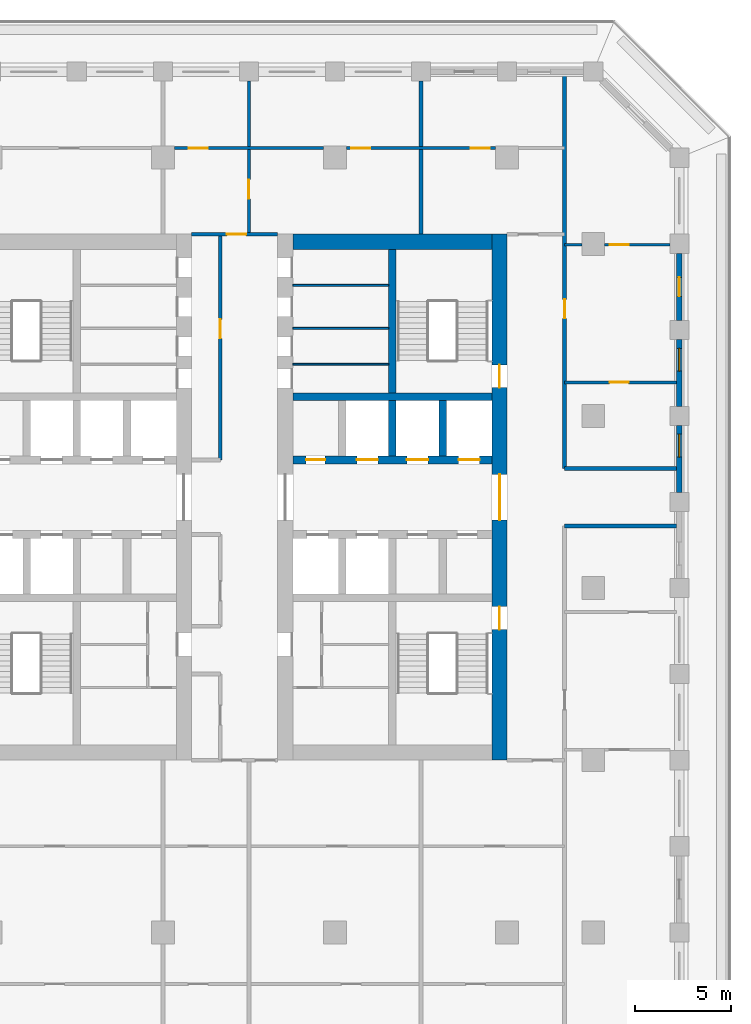
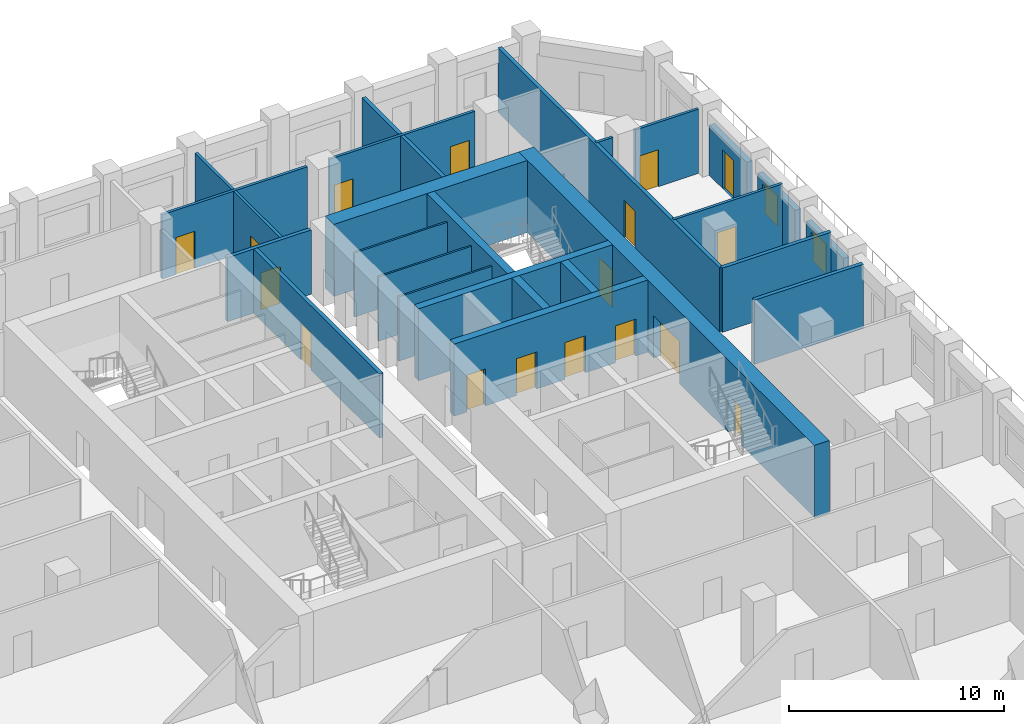
# One storey, part 7 of 16: 25 walls, 17 doors, 2 windows, 19 openings.
"""IFC4 building model written with IfcOpenShell, lengths in metres."""

from ifc_helpers import new_model, si_unit, direction, frame, frame_2d, origin, place, context, subcontext, project, spatial, rectangle, extrude, material, layer, layer_set, type_object, element, fill, save


model = new_model("IFC4")

# Units and contexts
model_context = context("Model", 3, precision=1e-05, world=origin(), true_north=direction((0.0, 1.0)))
body_context = subcontext(model_context, "Body", "Model", "MODEL_VIEW")
ifc_project = project(units=[si_unit("LENGTHUNIT", "METRE"), si_unit("AREAUNIT", "SQUARE_METRE"), si_unit("VOLUMEUNIT", "CUBIC_METRE"), si_unit("PLANEANGLEUNIT", "RADIAN"), si_unit("MASSUNIT", "GRAM", prefix="KILO")], contexts=[model_context])

# Site, building, storey
site_placement = place(None, origin())
site = spatial("IfcSite", under=ifc_project, at=site_placement, CompositionType="ELEMENT")
building_placement = place(site_placement, origin())
building = spatial("IfcBuilding", under=site, at=building_placement, Name="Corbel Stack Research Tower", CompositionType="ELEMENT")
storey_placement = place(building_placement, frame((0.0, 0.0, 160.89990234375)))
storey = spatial("IfcBuildingStorey", under=building, at=storey_placement, Name="L36", CompositionType="ELEMENT", Elevation=160.89990234375)

# Wall, openings, doors
ifc_material_1 = material(Name="Concrete C60/75", Category="concrete")
ifc_layer_1 = layer(ifc_material_1, 0.39990234375)
ifc_layer_set_1 = layer_set([ifc_layer_1], Name="Concrete C60/75")
wall_type_1 = type_object("IfcWallType", Name="CW-400-60", PredefinedType="SHEAR", material=ifc_layer_set_1)
wall_1_placement = place(storey_placement, frame((6.800048828125, 6.699951171875, 0.0), z_axis=(0.0, 0.0, 1.0), x_axis=(1.0, 0.0, 0.0)))
wall_1 = element("IfcWall", 1, at=wall_1_placement, inside=storey, type_object=wall_type_1, Name="East core wall, lobby north L36", PredefinedType="SHEAR", context=body_context, shape_type="SweptSolid", body=[
    extrude(rectangle(XDim=10.39990234375, YDim=0.39990234375, at=frame_2d((5.199951171875, 0.0))), origin(), (0.0, 0.0, 1.0), 4.10009765625),
])
opening_1_placement = place(wall_1_placement, frame((3.33740234375, 0.0, 0.0)))
opening_1 = element("IfcOpeningElement", 2, at=opening_1_placement, cuts=wall_1, Name="Opening LD-HR4", PredefinedType="OPENING", context=body_context, shape_type="SweptSolid", body=[
    extrude(rectangle(XDim=1.10009765625, YDim=2.10009765625, at=frame_2d((0.550048828125, 1.050048828125))), frame((0.0, 0.2099609375, 0.0), z_axis=(0.0, -1.0, 0.0), x_axis=(1.0, 0.0, 0.0)), (0.0, 0.0, 1.0), 0.419921875),
])
opening_2_placement = place(wall_1_placement, frame((5.96240234375, 0.0, 0.0)))
opening_2 = element("IfcOpeningElement", 3, at=opening_2_placement, cuts=wall_1, Name="Opening LD-HR5", PredefinedType="OPENING", context=body_context, shape_type="SweptSolid", body=[
    extrude(rectangle(XDim=1.10009765625, YDim=2.10009765625, at=frame_2d((0.550048828125, 1.050048828125))), frame((0.0, 0.2099609375, 0.0), z_axis=(0.0, -1.0, 0.0), x_axis=(1.0, 0.0, 0.0)), (0.0, 0.0, 1.0), 0.419921875),
])
opening_3_placement = place(wall_1_placement, frame((8.66259765625, 0.0, 0.0)))
opening_3 = element("IfcOpeningElement", 4, at=opening_3_placement, cuts=wall_1, Name="Opening LD-HR6", PredefinedType="OPENING", context=body_context, shape_type="SweptSolid", body=[
    extrude(rectangle(XDim=1.10009765625, YDim=2.10009765625, at=frame_2d((0.550048828125, 1.050048828125))), frame((0.0, 0.2099609375, 0.0), z_axis=(0.0, -1.0, 0.0), x_axis=(1.0, 0.0, 0.0)), (0.0, 0.0, 1.0), 0.419921875),
])
opening_4_placement = place(wall_1_placement, frame((0.6875, 0.0, 0.0)))
opening_4 = element("IfcOpeningElement", 5, at=opening_4_placement, cuts=wall_1, Name="Opening CR-E66-N1", PredefinedType="OPENING", context=body_context, shape_type="SweptSolid", body=[
    extrude(rectangle(XDim=1.0, YDim=2.10009765625, at=frame_2d((0.5, 1.050048828125))), frame((0.0, 0.2099609375, 0.0), z_axis=(0.0, -1.0, 0.0), x_axis=(1.0, 0.0, 0.0)), (0.0, 0.0, 1.0), 0.419921875),
])
ifc_material_2 = material(Name="Stainless steel landing door", Category="steel")
door_type_1 = type_object("IfcDoorType", Name="Lift landing door 1100 x 2100", OperationType="DOUBLE_DOOR_SLIDING", PredefinedType="DOOR", material=ifc_material_2)
door_1_placement = place(opening_1_placement, origin())
door_1 = element("IfcDoor", 6, at=door_1_placement, inside=storey, type_object=door_type_1, Name="Landing door HR4", OperationType="DOUBLE_DOOR_SLIDING", OverallHeight=2.10009765625, OverallWidth=1.10009765625, PredefinedType="DOOR", context=body_context, shape_type="SweptSolid", body=[
    extrude(rectangle(XDim=1.10009765625, YDim=2.10009765625, at=frame_2d((0.550048828125, 1.050048828125))), frame((0.0, 0.02490234375, 0.0), z_axis=(0.0, -1.0, 0.0), x_axis=(1.0, 0.0, 0.0)), (0.0, 0.0, 1.0), 0.050048828125),
])
fill(opening_1, door_1)
door_2_placement = place(opening_2_placement, origin())
door_2 = element("IfcDoor", 7, at=door_2_placement, inside=storey, type_object=door_type_1, Name="Landing door HR5", OperationType="DOUBLE_DOOR_SLIDING", OverallHeight=2.10009765625, OverallWidth=1.10009765625, PredefinedType="DOOR", context=body_context, shape_type="SweptSolid", body=[
    extrude(rectangle(XDim=1.10009765625, YDim=2.10009765625, at=frame_2d((0.550048828125, 1.050048828125))), frame((0.0, 0.02490234375, 0.0), z_axis=(0.0, -1.0, 0.0), x_axis=(1.0, 0.0, 0.0)), (0.0, 0.0, 1.0), 0.050048828125),
])
fill(opening_2, door_2)
door_3_placement = place(opening_3_placement, origin())
door_3 = element("IfcDoor", 8, at=door_3_placement, inside=storey, type_object=door_type_1, Name="Landing door HR6", OperationType="DOUBLE_DOOR_SLIDING", OverallHeight=2.10009765625, OverallWidth=1.10009765625, PredefinedType="DOOR", context=body_context, shape_type="SweptSolid", body=[
    extrude(rectangle(XDim=1.10009765625, YDim=2.10009765625, at=frame_2d((0.550048828125, 1.050048828125))), frame((0.0, 0.02490234375, 0.0), z_axis=(0.0, -1.0, 0.0), x_axis=(1.0, 0.0, 0.0)), (0.0, 0.0, 1.0), 0.050048828125),
])
fill(opening_3, door_3)
ifc_material_3 = material(Name="Painted steel door", Category="steel")
door_type_2 = type_object("IfcDoorType", Name="Service door 1000 x 2100 FD60 left hand", OperationType="SINGLE_SWING_LEFT", PredefinedType="DOOR", material=ifc_material_3)
door_4_placement = place(opening_4_placement, origin())
door_4 = element("IfcDoor", 9, at=door_4_placement, inside=storey, type_object=door_type_2, Name="Telecom room door E core", OperationType="SINGLE_SWING_LEFT", OverallHeight=2.10009765625, OverallWidth=1.0, PredefinedType="DOOR", context=body_context, shape_type="SweptSolid", body=[
    extrude(rectangle(XDim=1.0, YDim=2.10009765625, at=frame_2d((0.5, 1.050048828125))), frame((0.0, 0.02490234375, 0.0), z_axis=(0.0, -1.0, 0.0), x_axis=(1.0, 0.0, 0.0)), (0.0, 0.0, 1.0), 0.050048828125),
])
fill(opening_4, door_4)

# Walls
wall_2_placement = place(storey_placement, frame((6.800048828125, 10.0, 0.0), z_axis=(0.0, 0.0, 1.0), x_axis=(1.0, 0.0, 0.0)))
element("IfcWall", 10, at=wall_2_placement, inside=storey, type_object=wall_type_1, Name="East core wall, north row back L36", PredefinedType="SHEAR", context=body_context, shape_type="SweptSolid", body=[
    extrude(rectangle(XDim=10.39990234375, YDim=0.39990234375, at=frame_2d((5.199951171875, 0.0))), origin(), (0.0, 0.0, 1.0), 4.10009765625),
])
for number, where, z_axis, x_axis, name in (
    (11, (12.0, 6.89990234375, 0.0), (0.0, 0.0, 1.0), (0.0, 1.0, 0.0), "East core wall, north shaft 2 L36"),
    (12, (14.625, 6.89990234375, 0.0), (0.0, 0.0, 1.0), (0.0, 1.0, 0.0), "East core wall, north shaft 3 L36"),
):
    element("IfcWall", number, at=place(storey_placement, frame(where, z_axis=z_axis, x_axis=x_axis)), inside=storey, type_object=wall_type_1, Name=name, PredefinedType="SHEAR", context=body_context, shape_type="SweptSolid", body=[
        extrude(rectangle(XDim=2.900146484375, YDim=0.39990234375, at=frame_2d((1.4501953125, 0.0))), origin(), (0.0, 0.0, 1.0), 4.10009765625),
    ])
wall_3_placement = place(storey_placement, frame((12.0, 10.199951171875, 0.0), z_axis=(0.0, 0.0, 1.0), x_axis=(0.0, 1.0, 0.0)))
element("IfcWall", 13, at=wall_3_placement, inside=storey, type_object=wall_type_1, Name="East core wall, north stair and riser L36", PredefinedType="SHEAR", context=body_context, shape_type="SweptSolid", body=[
    extrude(rectangle(XDim=7.5, YDim=0.39990234375, at=frame_2d((3.75, 0.0))), origin(), (0.0, 0.0, 1.0), 4.10009765625),
])

# Wall, openings, doors
ifc_material_4 = material(Name="Concrete C60/75", Category="concrete")
ifc_layer_2 = layer(ifc_material_4, 0.800048828125)
ifc_layer_set_2 = layer_set([ifc_layer_2], Name="Concrete C60/75")
wall_type_2 = type_object("IfcWallType", Name="CW-800-60", PredefinedType="SHEAR", material=ifc_layer_set_2)
wall_4_placement = place(storey_placement, frame((17.60009765625, -9.0, 0.0), z_axis=(0.0, 0.0, 1.0), x_axis=(0.0, 1.0, 0.0)))
wall_4 = element("IfcWall", 14, at=wall_4_placement, inside=storey, type_object=wall_type_2, Name="East core wall, east face L36", PredefinedType="SHEAR", context=body_context, shape_type="SweptSolid", body=[
    extrude(rectangle(XDim=27.5, YDim=0.800048828125, at=frame_2d((13.75, 0.0))), origin(), (0.0, 0.0, 1.0), 4.10009765625),
])
opening_5_placement = place(wall_4_placement, frame((12.550048828125, 0.0, 0.0)))
opening_5 = element("IfcOpeningElement", 15, at=opening_5_placement, cuts=wall_4, Name="Opening CD-E-E", PredefinedType="OPENING", context=body_context, shape_type="SweptSolid", body=[
    extrude(rectangle(XDim=2.39990234375, YDim=2.39990234375, at=frame_2d((1.199951171875, 1.199951171875))), frame((0.0, 0.409912109375, 0.0), z_axis=(0.0, -1.0, 0.0), x_axis=(1.0, 0.0, 0.0)), (0.0, 0.0, 1.0), 0.820068359375),
])
opening_6_placement = place(wall_4_placement, frame((6.824951171875, 0.0, 0.0)))
opening_6 = element("IfcOpeningElement", 16, at=opening_6_placement, cuts=wall_4, Name="Opening SD-ST-E1", PredefinedType="OPENING", context=body_context, shape_type="SweptSolid", body=[
    extrude(rectangle(XDim=1.199951171875, YDim=2.10009765625, at=frame_2d((0.60009765625, 1.050048828125))), frame((0.0, 0.409912109375, 0.0), z_axis=(0.0, -1.0, 0.0), x_axis=(1.0, 0.0, 0.0)), (0.0, 0.0, 1.0), 0.820068359375),
])
opening_7_placement = place(wall_4_placement, frame((19.47509765625, 0.0, 0.0)))
opening_7 = element("IfcOpeningElement", 17, at=opening_7_placement, cuts=wall_4, Name="Opening SD-ST-E2", PredefinedType="OPENING", context=body_context, shape_type="SweptSolid", body=[
    extrude(rectangle(XDim=1.199951171875, YDim=2.10009765625, at=frame_2d((0.60009765625, 1.050048828125))), frame((0.0, 0.409912109375, 0.0), z_axis=(0.0, -1.0, 0.0), x_axis=(1.0, 0.0, 0.0)), (0.0, 0.0, 1.0), 0.820068359375),
])
ifc_material_5 = material(Name="Painted steel fire door", Category="steel")
door_type_3 = type_object("IfcDoorType", Name="Lobby door pair 2400 x 2400 FD30S", OperationType="DOUBLE_DOOR_DOUBLE_SWING", PredefinedType="DOOR", material=ifc_material_5)
door_5_placement = place(opening_5_placement, origin())
door_5 = element("IfcDoor", 18, at=door_5_placement, inside=storey, type_object=door_type_3, Name="Lift lobby door E core E", OperationType="DOUBLE_DOOR_DOUBLE_SWING", OverallHeight=2.39990234375, OverallWidth=2.39990234375, PredefinedType="DOOR", context=body_context, shape_type="SweptSolid", body=[
    extrude(rectangle(XDim=2.39990234375, YDim=2.39990234375, at=frame_2d((1.199951171875, 1.199951171875))), frame((0.0, 0.02490234375, 0.0), z_axis=(0.0, -1.0, 0.0), x_axis=(1.0, 0.0, 0.0)), (0.0, 0.0, 1.0), 0.050048828125),
])
fill(opening_5, door_5)
ifc_material_6 = material(Name="Painted steel fire door", Category="steel")
door_type_4 = type_object("IfcDoorType", Name="Stair door 1200 x 2100 FD90 right hand", OperationType="SINGLE_SWING_RIGHT", PredefinedType="DOOR", material=ifc_material_6)
door_6_placement = place(opening_6_placement, frame((1.199951171875, 0.0, 0.0), z_axis=(0.0, 0.0, 1.0), x_axis=(-1.0, 0.0, 0.0)))
door_6 = element("IfcDoor", 19, at=door_6_placement, inside=storey, type_object=door_type_4, Name="Stair door ST-E1", OperationType="SINGLE_SWING_LEFT", OverallHeight=2.10009765625, OverallWidth=1.199951171875, PredefinedType="DOOR", context=body_context, shape_type="SweptSolid", body=[
    extrude(rectangle(XDim=1.199951171875, YDim=2.10009765625, at=frame_2d((0.60009765625, 1.050048828125))), frame((0.0, 0.02490234375, 0.0), z_axis=(0.0, -1.0, 0.0), x_axis=(1.0, 0.0, 0.0)), (0.0, 0.0, 1.0), 0.050048828125),
])
fill(opening_6, door_6)
door_7_placement = place(opening_7_placement, frame((1.199951171875, 0.0, 0.0), z_axis=(0.0, 0.0, 1.0), x_axis=(-1.0, 0.0, 0.0)))
door_7 = element("IfcDoor", 20, at=door_7_placement, inside=storey, type_object=door_type_4, Name="Stair door ST-E2", OperationType="SINGLE_SWING_LEFT", OverallHeight=2.10009765625, OverallWidth=1.199951171875, PredefinedType="DOOR", context=body_context, shape_type="SweptSolid", body=[
    extrude(rectangle(XDim=1.199951171875, YDim=2.10009765625, at=frame_2d((0.60009765625, 1.050048828125))), frame((0.0, 0.02490234375, 0.0), z_axis=(0.0, -1.0, 0.0), x_axis=(1.0, 0.0, 0.0)), (0.0, 0.0, 1.0), 0.050048828125),
])
fill(opening_7, door_7)

# Walls
wall_5_placement = place(storey_placement, frame((6.800048828125, 18.10009765625, 0.0), z_axis=(0.0, 0.0, 1.0), x_axis=(1.0, 0.0, 0.0)))
element("IfcWall", 21, at=wall_5_placement, inside=storey, type_object=wall_type_2, Name="East core wall, north end L36", PredefinedType="SHEAR", context=body_context, shape_type="SweptSolid", body=[
    extrude(rectangle(XDim=10.39990234375, YDim=0.800048828125, at=frame_2d((5.199951171875, 0.0))), origin(), (0.0, 0.0, 1.0), 4.10009765625),
])
ifc_material_7 = material(Name="Gypsum board")
ifc_layer_3 = layer(ifc_material_7, 0.10009765625)
ifc_layer_set_3 = layer_set([ifc_layer_3], Name="Gypsum board")
wall_type_3 = type_object("IfcWallType", Name="Core partition 100", PredefinedType="PARTITIONING", material=ifc_layer_set_3)
for number, where, z_axis, x_axis, name in (
    (22, (6.800048828125, 11.699951171875, 0.0), (0.0, 0.0, 1.0), (1.0, 0.0, 0.0), "Core partition E"),
    (23, (6.800048828125, 13.574951171875, 0.0), (0.0, 0.0, 1.0), (1.0, 0.0, 0.0), "Core partition E"),
    (24, (6.800048828125, 15.824951171875, 0.0), (0.0, 0.0, 1.0), (1.0, 0.0, 0.0), "Core partition E"),
):
    element("IfcWall", number, at=place(storey_placement, frame(where, z_axis=z_axis, x_axis=x_axis)), inside=storey, type_object=wall_type_3, Name=name, PredefinedType="PARTITIONING", context=body_context, shape_type="SweptSolid", body=[
        extrude(rectangle(XDim=5.0, YDim=0.10009765625, at=frame_2d((2.5, 0.0))), origin(), (0.0, 0.0, 1.0), 3.650146484375),
    ])

# Wall, opening, door
ifc_material_8 = material(Name="Fire-rated gypsum board partition on steel studs", Category="steel")
ifc_layer_4 = layer(ifc_material_8, 0.14990234375)
ifc_layer_set_4 = layer_set([ifc_layer_4], Name="Fire-rated gypsum board partition on steel studs")
wall_type_4 = type_object("IfcWallType", Name="Fire-rated partition 150 EI 60", PredefinedType="PARTITIONING", material=ifc_layer_set_4)
wall_6_placement = place(storey_placement, frame((4.5, 26.5, 0.0), z_axis=(0.0, 0.0, 1.0), x_axis=(0.0, -1.0, 0.0)))
wall_6 = element("IfcWall", 25, at=wall_6_placement, inside=storey, type_object=wall_type_4, Name="Partition L36-010", PredefinedType="PARTITIONING", context=body_context, shape_type="SweptSolid", body=[
    extrude(rectangle(XDim=8.0, YDim=0.14990234375, at=frame_2d((4.0, 0.0))), origin(), (0.0, 0.0, 1.0), 3.650146484375),
])
opening_8_placement = place(wall_6_placement, frame((5.14990234375, 0.0, 0.0)))
opening_8 = element("IfcOpeningElement", 26, at=opening_8_placement, cuts=wall_6, Name="Opening B5V0-021", PredefinedType="OPENING", context=body_context, shape_type="SweptSolid", body=[
    extrude(rectangle(XDim=1.0, YDim=2.10009765625, at=frame_2d((0.5, 1.050048828125))), frame((0.0, 0.0849609375, 0.0), z_axis=(0.0, -1.0, 0.0), x_axis=(1.0, 0.0, 0.0)), (0.0, 0.0, 1.0), 0.169921875),
])
ifc_material_9 = material(Name="Painted steel fire door", Category="steel")
door_type_5 = type_object("IfcDoorType", Name="Fire door FD30S 1000 x 2100", OperationType="NOTDEFINED", PredefinedType="DOOR", material=ifc_material_9)
door_8_placement = place(opening_8_placement, origin())
door_8 = element("IfcDoor", 27, at=door_8_placement, inside=storey, type_object=door_type_5, Name="Door B5V0-021", OperationType="SINGLE_SWING_RIGHT", OverallHeight=2.10009765625, OverallWidth=1.0, PredefinedType="DOOR", context=body_context, shape_type="SweptSolid", body=[
    extrude(rectangle(XDim=1.0, YDim=2.10009765625, at=frame_2d((0.5, 1.050048828125))), frame((0.0, 0.02490234375, 0.0), z_axis=(0.0, -1.0, 0.0), x_axis=(1.0, 0.0, 0.0)), (0.0, 0.0, 1.0), 0.050048828125),
])
fill(opening_8, door_8)

ifc_material_10 = material(Name="Fire-rated gypsum board partition on steel studs", Category="steel")
ifc_layer_5 = layer(ifc_material_10, 0.199951171875)
ifc_layer_set_5 = layer_set([ifc_layer_5], Name="Fire-rated gypsum board partition on steel studs")
wall_type_5 = type_object("IfcWallType", Name="Fire-rated partition 200 EI 60", PredefinedType="PARTITIONING", material=ifc_layer_set_5)
wall_7_placement = place(storey_placement, frame((3.0, 6.699951171875, 0.0), z_axis=(0.0, 0.0, 1.0), x_axis=(0.0, 1.0, 0.0)))
wall_7 = element("IfcWall", 28, at=wall_7_placement, inside=storey, type_object=wall_type_5, Name="Partition L36-009", PredefinedType="PARTITIONING", context=body_context, shape_type="SweptSolid", body=[
    extrude(rectangle(XDim=11.800048828125, YDim=0.199951171875, at=frame_2d((5.89990234375, 0.0))), origin(), (0.0, 0.0, 1.0), 3.650146484375),
])
opening_9_placement = place(wall_7_placement, frame((6.35009765625, 0.0, 0.0)))
opening_9 = element("IfcOpeningElement", 29, at=opening_9_placement, cuts=wall_7, Name="Opening B5V0-019", PredefinedType="OPENING", context=body_context, shape_type="SweptSolid", body=[
    extrude(rectangle(XDim=1.0, YDim=2.10009765625, at=frame_2d((0.5, 1.050048828125))), frame((0.0, 0.10986328125, 0.0), z_axis=(0.0, -1.0, 0.0), x_axis=(1.0, 0.0, 0.0)), (0.0, 0.0, 1.0), 0.219970703125),
])
door_9_placement = place(opening_9_placement, origin())
door_9 = element("IfcDoor", 30, at=door_9_placement, inside=storey, type_object=door_type_5, Name="Door B5V0-019", OperationType="SINGLE_SWING_RIGHT", OverallHeight=2.10009765625, OverallWidth=1.0, PredefinedType="DOOR", context=body_context, shape_type="SweptSolid", body=[
    extrude(rectangle(XDim=1.0, YDim=2.10009765625, at=frame_2d((0.5, 1.050048828125))), frame((0.0, 0.02490234375, 0.0), z_axis=(0.0, -1.0, 0.0), x_axis=(1.0, 0.0, 0.0)), (0.0, 0.0, 1.0), 0.050048828125),
])
fill(opening_9, door_9)

# Wall
wall_8_placement = place(storey_placement, frame((13.5, 18.5, 0.0), z_axis=(0.0, 0.0, 1.0), x_axis=(0.0, 1.0, 0.0)))
element("IfcWall", 31, at=wall_8_placement, inside=storey, type_object=wall_type_5, Name="Partition L36-013", PredefinedType="PARTITIONING", context=body_context, shape_type="SweptSolid", body=[
    extrude(rectangle(XDim=8.0, YDim=0.199951171875, at=frame_2d((4.0, 0.0))), origin(), (0.0, 0.0, 1.0), 3.650146484375),
])

# Wall, opening, door
wall_9_placement = place(storey_placement, frame((21.0, 26.85009765625, 0.0), z_axis=(0.0, 0.0, 1.0), x_axis=(0.0, -1.0, 0.0)))
wall_9 = element("IfcWall", 32, at=wall_9_placement, inside=storey, type_object=wall_type_5, Name="Partition L36-015", PredefinedType="PARTITIONING", context=body_context, shape_type="SweptSolid", body=[
    extrude(rectangle(XDim=20.60009765625, YDim=0.199951171875, at=frame_2d((10.300048828125, 0.0))), origin(), (0.0, 0.0, 1.0), 3.650146484375),
])
opening_10_placement = place(wall_9_placement, frame((11.75, 0.0, 0.0)))
opening_10 = element("IfcOpeningElement", 33, at=opening_10_placement, cuts=wall_9, Name="Opening B5V0-031", PredefinedType="OPENING", context=body_context, shape_type="SweptSolid", body=[
    extrude(rectangle(XDim=1.0, YDim=2.10009765625, at=frame_2d((0.5, 1.050048828125))), frame((0.0, 0.10986328125, 0.0), z_axis=(0.0, -1.0, 0.0), x_axis=(1.0, 0.0, 0.0)), (0.0, 0.0, 1.0), 0.219970703125),
])
door_10_placement = place(opening_10_placement, origin())
door_10 = element("IfcDoor", 34, at=door_10_placement, inside=storey, type_object=door_type_5, Name="Door B5V0-031", OperationType="SINGLE_SWING_RIGHT", OverallHeight=2.10009765625, OverallWidth=1.0, PredefinedType="DOOR", context=body_context, shape_type="SweptSolid", body=[
    extrude(rectangle(XDim=1.0, YDim=2.10009765625, at=frame_2d((0.5, 1.050048828125))), frame((0.0, 0.02490234375, 0.0), z_axis=(0.0, -1.0, 0.0), x_axis=(1.0, 0.0, 0.0)), (0.0, 0.0, 1.0), 0.050048828125),
])
fill(opening_10, door_10)

# Walls
for number, where, z_axis, x_axis, name in (
    (35, (21.0, 3.25, 0.0), (0.0, 0.0, 1.0), (1.0, 0.0, 0.0), "Partition L36-031"),
    (36, (21.0, 6.25, 0.0), (0.0, 0.0, 1.0), (1.0, 0.0, 0.0), "Partition L36-033"),
):
    element("IfcWall", number, at=place(storey_placement, frame(where, z_axis=z_axis, x_axis=x_axis)), inside=storey, type_object=wall_type_5, Name=name, PredefinedType="PARTITIONING", context=body_context, shape_type="SweptSolid", body=[
        extrude(rectangle(XDim=5.85009765625, YDim=0.199951171875, at=frame_2d((2.925048828125, 0.0))), origin(), (0.0, 0.0, 1.0), 3.650146484375),
    ])

# Wall, opening, door
wall_10_placement = place(storey_placement, frame((1.5, 18.5, 0.0), z_axis=(0.0, 0.0, 1.0), x_axis=(1.0, 0.0, 0.0)))
wall_10 = element("IfcWall", 37, at=wall_10_placement, inside=storey, type_object=wall_type_5, Name="Partition L36-042", PredefinedType="PARTITIONING", context=body_context, shape_type="SweptSolid", body=[
    extrude(rectangle(XDim=4.5, YDim=0.199951171875, at=frame_2d((2.25, 0.0))), origin(), (0.0, 0.0, 1.0), 3.650146484375),
])
opening_11_placement = place(wall_10_placement, frame((1.85009765625, 0.0, 0.0)))
opening_11 = element("IfcOpeningElement", 38, at=opening_11_placement, cuts=wall_10, Name="Opening B5V0-028", PredefinedType="OPENING", context=body_context, shape_type="SweptSolid", body=[
    extrude(rectangle(XDim=1.0, YDim=2.10009765625, at=frame_2d((0.5, 1.050048828125))), frame((0.0, 0.10986328125, 0.0), z_axis=(0.0, -1.0, 0.0), x_axis=(1.0, 0.0, 0.0)), (0.0, 0.0, 1.0), 0.219970703125),
])
door_11_placement = place(opening_11_placement, origin())
door_11 = element("IfcDoor", 39, at=door_11_placement, inside=storey, type_object=door_type_5, Name="Door B5V0-028", OperationType="SINGLE_SWING_RIGHT", OverallHeight=2.10009765625, OverallWidth=1.0, PredefinedType="DOOR", context=body_context, shape_type="SweptSolid", body=[
    extrude(rectangle(XDim=1.0, YDim=2.10009765625, at=frame_2d((0.5, 1.050048828125))), frame((0.0, 0.02490234375, 0.0), z_axis=(0.0, -1.0, 0.0), x_axis=(1.0, 0.0, 0.0)), (0.0, 0.0, 1.0), 0.050048828125),
])
fill(opening_11, door_11)

ifc_material_11 = material(Name="Gypsum board partition on steel studs", Category="steel")
ifc_layer_6 = layer(ifc_material_11, 0.14990234375)
ifc_layer_set_6 = layer_set([ifc_layer_6], Name="Gypsum board partition on steel studs")
wall_type_6 = type_object("IfcWallType", Name="Partition 150", PredefinedType="PARTITIONING", material=ifc_layer_set_6)
wall_11_placement = place(storey_placement, frame((26.85009765625, 10.75, 0.0), z_axis=(0.0, 0.0, 1.0), x_axis=(-1.0, 0.0, 0.0)))
wall_11 = element("IfcWall", 40, at=wall_11_placement, inside=storey, type_object=wall_type_6, Name="Partition L36-036", PredefinedType="PARTITIONING", context=body_context, shape_type="SweptSolid", body=[
    extrude(rectangle(XDim=5.85009765625, YDim=0.14990234375, at=frame_2d((2.925048828125, 0.0))), origin(), (0.0, 0.0, 1.0), 3.650146484375),
])
opening_12_placement = place(wall_11_placement, frame((2.5, 0.0, 0.0)))
opening_12 = element("IfcOpeningElement", 41, at=opening_12_placement, cuts=wall_11, Name="Opening B5V0-024", PredefinedType="OPENING", context=body_context, shape_type="SweptSolid", body=[
    extrude(rectangle(XDim=1.0, YDim=2.10009765625, at=frame_2d((0.5, 1.050048828125))), frame((0.0, 0.0849609375, 0.0), z_axis=(0.0, -1.0, 0.0), x_axis=(1.0, 0.0, 0.0)), (0.0, 0.0, 1.0), 0.169921875),
])
ifc_material_12 = material(Name="Painted timber door", Category="wood")
door_type_6 = type_object("IfcDoorType", Name="Single door 1000 x 2100", OperationType="NOTDEFINED", PredefinedType="DOOR", material=ifc_material_12)
door_12_placement = place(opening_12_placement, origin())
door_12 = element("IfcDoor", 42, at=door_12_placement, inside=storey, type_object=door_type_6, Name="Door B5V0-024", OperationType="SINGLE_SWING_RIGHT", OverallHeight=2.10009765625, OverallWidth=1.0, PredefinedType="DOOR", context=body_context, shape_type="SweptSolid", body=[
    extrude(rectangle(XDim=1.0, YDim=2.10009765625, at=frame_2d((0.5, 1.050048828125))), frame((0.0, 0.02490234375, 0.0), z_axis=(0.0, -1.0, 0.0), x_axis=(1.0, 0.0, 0.0)), (0.0, 0.0, 1.0), 0.050048828125),
])
fill(opening_12, door_12)

# Wall
wall_12_placement = place(storey_placement, frame((21.0, 17.949951171875, 0.0), z_axis=(0.0, 0.0, 1.0), x_axis=(1.0, 0.0, 0.0)))
element("IfcWall", 43, at=wall_12_placement, inside=storey, type_object=wall_type_6, Name="Partition L36-039", PredefinedType="PARTITIONING", context=body_context, shape_type="SweptSolid", body=[
    extrude(rectangle(XDim=0.89990234375, YDim=0.14990234375, at=frame_2d((0.449951171875, 0.0))), origin(), (0.0, 0.0, 1.0), 3.650146484375),
])

# Wall, opening, door
wall_13_placement = place(storey_placement, frame((23.10009765625, 17.949951171875, 0.0), z_axis=(0.0, 0.0, 1.0), x_axis=(1.0, 0.0, 0.0)))
wall_13 = element("IfcWall", 44, at=wall_13_placement, inside=storey, type_object=wall_type_6, Name="Partition L36-040", PredefinedType="PARTITIONING", context=body_context, shape_type="SweptSolid", body=[
    extrude(rectangle(XDim=3.39990234375, YDim=0.14990234375, at=frame_2d((1.699951171875, 0.0))), origin(), (0.0, 0.0, 1.0), 3.650146484375),
])
opening_13_placement = place(wall_13_placement, frame((0.25, 0.0, 0.0)))
opening_13 = element("IfcOpeningElement", 45, at=opening_13_placement, cuts=wall_13, Name="Opening B5V0-026", PredefinedType="OPENING", context=body_context, shape_type="SweptSolid", body=[
    extrude(rectangle(XDim=1.0, YDim=2.10009765625, at=frame_2d((0.5, 1.050048828125))), frame((0.0, 0.0849609375, 0.0), z_axis=(0.0, -1.0, 0.0), x_axis=(1.0, 0.0, 0.0)), (0.0, 0.0, 1.0), 0.169921875),
])
door_13_placement = place(opening_13_placement, origin())
door_13 = element("IfcDoor", 46, at=door_13_placement, inside=storey, type_object=door_type_6, Name="Door B5V0-026", OperationType="SINGLE_SWING_LEFT", OverallHeight=2.10009765625, OverallWidth=1.0, PredefinedType="DOOR", context=body_context, shape_type="SweptSolid", body=[
    extrude(rectangle(XDim=1.0, YDim=2.10009765625, at=frame_2d((0.5, 1.050048828125))), frame((0.0, 0.02490234375, 0.0), z_axis=(0.0, -1.0, 0.0), x_axis=(1.0, 0.0, 0.0)), (0.0, 0.0, 1.0), 0.050048828125),
])
fill(opening_13, door_13)

wall_14_placement = place(storey_placement, frame((0.60009765625, 23.0, 0.0), z_axis=(0.0, 0.0, 1.0), x_axis=(1.0, 0.0, 0.0)))
wall_14 = element("IfcWall", 47, at=wall_14_placement, inside=storey, type_object=wall_type_6, Name="Partition L36-046", PredefinedType="PARTITIONING", context=body_context, shape_type="SweptSolid", body=[
    extrude(rectangle(XDim=7.7998046875, YDim=0.14990234375, at=frame_2d((3.89990234375, 0.0))), origin(), (0.0, 0.0, 1.0), 3.650146484375),
])
opening_14_placement = place(wall_14_placement, frame((0.75, 0.0, 0.0)))
opening_14 = element("IfcOpeningElement", 48, at=opening_14_placement, cuts=wall_14, Name="Opening B5V0-033", PredefinedType="OPENING", context=body_context, shape_type="SweptSolid", body=[
    extrude(rectangle(XDim=1.0, YDim=2.10009765625, at=frame_2d((0.5, 1.050048828125))), frame((0.0, 0.0849609375, 0.0), z_axis=(0.0, -1.0, 0.0), x_axis=(1.0, 0.0, 0.0)), (0.0, 0.0, 1.0), 0.169921875),
])
door_14_placement = place(opening_14_placement, origin())
door_14 = element("IfcDoor", 49, at=door_14_placement, inside=storey, type_object=door_type_6, Name="Door B5V0-033", OperationType="SINGLE_SWING_LEFT", OverallHeight=2.10009765625, OverallWidth=1.0, PredefinedType="DOOR", context=body_context, shape_type="SweptSolid", body=[
    extrude(rectangle(XDim=1.0, YDim=2.10009765625, at=frame_2d((0.5, 1.050048828125))), frame((0.0, 0.02490234375, 0.0), z_axis=(0.0, -1.0, 0.0), x_axis=(1.0, 0.0, 0.0)), (0.0, 0.0, 1.0), 0.050048828125),
])
fill(opening_14, door_14)

# Wall, openings, doors
wall_15_placement = place(storey_placement, frame((9.60009765625, 23.0, 0.0), z_axis=(0.0, 0.0, 1.0), x_axis=(1.0, 0.0, 0.0)))
wall_15 = element("IfcWall", 50, at=wall_15_placement, inside=storey, type_object=wall_type_6, Name="Partition L36-047", PredefinedType="PARTITIONING", context=body_context, shape_type="SweptSolid", body=[
    extrude(rectangle(XDim=7.7998046875, YDim=0.14990234375, at=frame_2d((3.89990234375, 0.0))), origin(), (0.0, 0.0, 1.0), 3.650146484375),
])
opening_15_placement = place(wall_15_placement, frame((0.25, 0.0, 0.0)))
opening_15 = element("IfcOpeningElement", 51, at=opening_15_placement, cuts=wall_15, Name="Opening B5V0-034", PredefinedType="OPENING", context=body_context, shape_type="SweptSolid", body=[
    extrude(rectangle(XDim=1.0, YDim=2.10009765625, at=frame_2d((0.5, 1.050048828125))), frame((0.0, 0.0849609375, 0.0), z_axis=(0.0, -1.0, 0.0), x_axis=(1.0, 0.0, 0.0)), (0.0, 0.0, 1.0), 0.169921875),
])
opening_16_placement = place(wall_15_placement, frame((6.5, 0.0, 0.0)))
opening_16 = element("IfcOpeningElement", 52, at=opening_16_placement, cuts=wall_15, Name="Opening B5V0-035", PredefinedType="OPENING", context=body_context, shape_type="SweptSolid", body=[
    extrude(rectangle(XDim=1.0, YDim=2.10009765625, at=frame_2d((0.5, 1.050048828125))), frame((0.0, 0.0849609375, 0.0), z_axis=(0.0, -1.0, 0.0), x_axis=(1.0, 0.0, 0.0)), (0.0, 0.0, 1.0), 0.169921875),
])
door_15_placement = place(opening_15_placement, origin())
door_15 = element("IfcDoor", 53, at=door_15_placement, inside=storey, type_object=door_type_6, Name="Door B5V0-034", OperationType="SINGLE_SWING_LEFT", OverallHeight=2.10009765625, OverallWidth=1.0, PredefinedType="DOOR", context=body_context, shape_type="SweptSolid", body=[
    extrude(rectangle(XDim=1.0, YDim=2.10009765625, at=frame_2d((0.5, 1.050048828125))), frame((0.0, 0.02490234375, 0.0), z_axis=(0.0, -1.0, 0.0), x_axis=(1.0, 0.0, 0.0)), (0.0, 0.0, 1.0), 0.050048828125),
])
fill(opening_15, door_15)
door_16_placement = place(opening_16_placement, origin())
door_16 = element("IfcDoor", 54, at=door_16_placement, inside=storey, type_object=door_type_6, Name="Door B5V0-035", OperationType="SINGLE_SWING_RIGHT", OverallHeight=2.10009765625, OverallWidth=1.0, PredefinedType="DOOR", context=body_context, shape_type="SweptSolid", body=[
    extrude(rectangle(XDim=1.0, YDim=2.10009765625, at=frame_2d((0.5, 1.050048828125))), frame((0.0, 0.02490234375, 0.0), z_axis=(0.0, -1.0, 0.0), x_axis=(1.0, 0.0, 0.0)), (0.0, 0.0, 1.0), 0.050048828125),
])
fill(opening_16, door_16)

# Wall, opening, window
ifc_material_13 = material(Name="Concrete C45/55", Category="concrete")
ifc_layer_7 = layer(ifc_material_13, 0.300048828125)
ifc_layer_set_7 = layer_set([ifc_layer_7], Name="Concrete C45/55")
wall_type_7 = type_object("IfcWallType", Name="Terracotta-faced concrete wall 300", PredefinedType="SOLIDWALL", material=ifc_layer_set_7)
wall_16_placement = place(storey_placement, frame((27.0, 8.5, 0.0), z_axis=(0.0, 0.0, 1.0), x_axis=(0.0, -1.0, 0.0)))
wall_16 = element("IfcWall", 55, at=wall_16_placement, inside=storey, type_object=wall_type_7, Name="Facade wall L36 E07", PredefinedType="SOLIDWALL", context=body_context, shape_type="SweptSolid", body=[
    extrude(rectangle(XDim=3.5, YDim=0.300048828125, at=frame_2d((1.75, 0.0))), origin(), (0.0, 0.0, 1.0), 2.85009765625),
])
opening_17_placement = place(wall_16_placement, frame((0.449951171875, 0.0, 0.800048828125)))
opening_17 = element("IfcOpeningElement", 56, at=opening_17_placement, cuts=wall_16, Name="Opening W2", PredefinedType="OPENING", context=body_context, shape_type="SweptSolid", body=[
    extrude(rectangle(XDim=1.199951171875, YDim=1.699951171875, at=frame_2d((0.60009765625, 0.85009765625))), frame((0.0, 0.159912109375, 0.0), z_axis=(0.0, -1.0, 0.0), x_axis=(1.0, 0.0, 0.0)), (0.0, 0.0, 1.0), 0.320068359375),
])
ifc_material_14 = material(Name="Aluminium frame, clear double glazing", Category="aluminium")
window_type = type_object("IfcWindowType", Name="Window W2 1200 x 1700", PartitioningType="SINGLE_PANEL", PredefinedType="WINDOW", material=ifc_material_14)
window_1_placement = place(opening_17_placement, origin())
window_1 = element("IfcWindow", 57, at=window_1_placement, inside=storey, type_object=window_type, Name="Window W2 L36 E07", OverallHeight=1.699951171875, OverallWidth=1.199951171875, PartitioningType="SINGLE_PANEL", PredefinedType="WINDOW", context=body_context, shape_type="SweptSolid", body=[
    extrude(rectangle(XDim=1.199951171875, YDim=1.699951171875, at=frame_2d((0.60009765625, 0.85009765625))), frame((0.0, 0.030029296875, 0.0), z_axis=(0.0, -1.0, 0.0), x_axis=(1.0, 0.0, 0.0)), (0.0, 0.0, 1.0), 0.06005859375),
])
fill(opening_17, window_1)

wall_17_placement = place(storey_placement, frame((27.0, 13.0, 0.0), z_axis=(0.0, 0.0, 1.0), x_axis=(0.0, -1.0, 0.0)))
wall_17 = element("IfcWall", 58, at=wall_17_placement, inside=storey, type_object=wall_type_7, Name="Facade wall L36 E08", PredefinedType="SOLIDWALL", context=body_context, shape_type="SweptSolid", body=[
    extrude(rectangle(XDim=3.5, YDim=0.300048828125, at=frame_2d((1.75, 0.0))), origin(), (0.0, 0.0, 1.0), 2.85009765625),
])
opening_18_placement = place(wall_17_placement, frame((0.46240234375, 0.0, 0.800048828125)))
opening_18 = element("IfcOpeningElement", 59, at=opening_18_placement, cuts=wall_17, Name="Opening W2", PredefinedType="OPENING", context=body_context, shape_type="SweptSolid", body=[
    extrude(rectangle(XDim=1.199951171875, YDim=1.699951171875, at=frame_2d((0.60009765625, 0.85009765625))), frame((0.0, 0.159912109375, 0.0), z_axis=(0.0, -1.0, 0.0), x_axis=(1.0, 0.0, 0.0)), (0.0, 0.0, 1.0), 0.320068359375),
])
window_2_placement = place(opening_18_placement, origin())
window_2 = element("IfcWindow", 60, at=window_2_placement, inside=storey, type_object=window_type, Name="Window W2 L36 E08", OverallHeight=1.699951171875, OverallWidth=1.199951171875, PartitioningType="SINGLE_PANEL", PredefinedType="WINDOW", context=body_context, shape_type="SweptSolid", body=[
    extrude(rectangle(XDim=1.199951171875, YDim=1.699951171875, at=frame_2d((0.60009765625, 0.85009765625))), frame((0.0, 0.030029296875, 0.0), z_axis=(0.0, -1.0, 0.0), x_axis=(1.0, 0.0, 0.0)), (0.0, 0.0, 1.0), 0.06005859375),
])
fill(opening_18, window_2)

# Wall, opening, door
wall_18_placement = place(storey_placement, frame((27.0, 17.5, 0.0), z_axis=(0.0, 0.0, 1.0), x_axis=(0.0, -1.0, 0.0)))
wall_18 = element("IfcWall", 61, at=wall_18_placement, inside=storey, type_object=wall_type_7, Name="Facade wall L36 E09", PredefinedType="SOLIDWALL", context=body_context, shape_type="SweptSolid", body=[
    extrude(rectangle(XDim=3.5, YDim=0.300048828125, at=frame_2d((1.75, 0.0))), origin(), (0.0, 0.0, 1.0), 2.85009765625),
])
opening_19_placement = place(wall_18_placement, frame((1.25, 0.0, 0.0)))
opening_19 = element("IfcOpeningElement", 62, at=opening_19_placement, cuts=wall_18, Name="Opening L36-B05", PredefinedType="OPENING", context=body_context, shape_type="SweptSolid", body=[
    extrude(rectangle(XDim=1.0, YDim=2.199951171875, at=frame_2d((0.5, 1.10009765625))), frame((0.0, 0.159912109375, 0.0), z_axis=(0.0, -1.0, 0.0), x_axis=(1.0, 0.0, 0.0)), (0.0, 0.0, 1.0), 0.320068359375),
])
ifc_material_15 = material(Name="Aluminium frame, clear double glazing", Category="aluminium")
door_type_7 = type_object("IfcDoorType", Name="Balcony door BD1 1000 x 2200", OperationType="NOTDEFINED", PredefinedType="DOOR", material=ifc_material_15)
door_17_placement = place(opening_19_placement, origin())
door_17 = element("IfcDoor", 63, at=door_17_placement, inside=storey, type_object=door_type_7, Name="Balcony door L36-B05", OperationType="SINGLE_SWING_LEFT", OverallHeight=2.199951171875, OverallWidth=1.0, PredefinedType="DOOR", context=body_context, shape_type="SweptSolid", body=[
    extrude(rectangle(XDim=1.0, YDim=2.199951171875, at=frame_2d((0.5, 1.10009765625))), frame((0.0, 0.02490234375, 0.0), z_axis=(0.0, -1.0, 0.0), x_axis=(1.0, 0.0, 0.0)), (0.0, 0.0, 1.0), 0.050048828125),
])
fill(opening_19, door_17)

save(model, "model.ifc")
